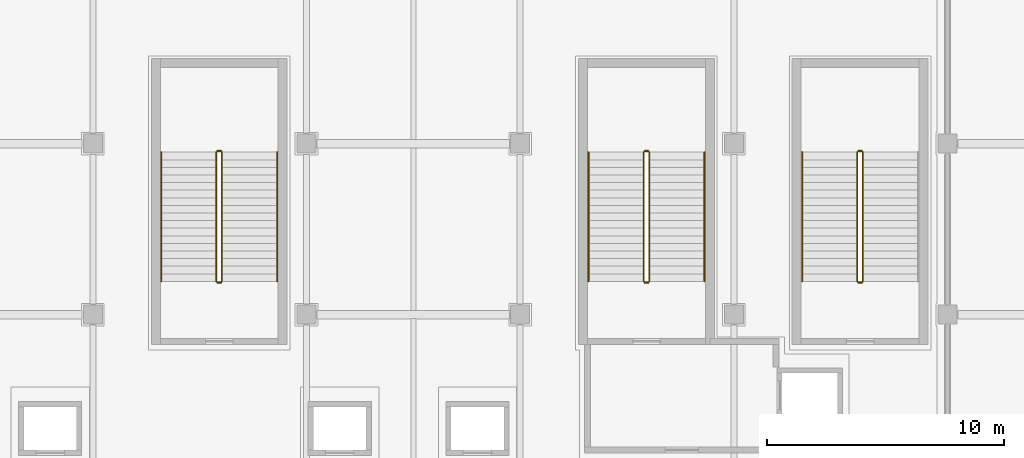
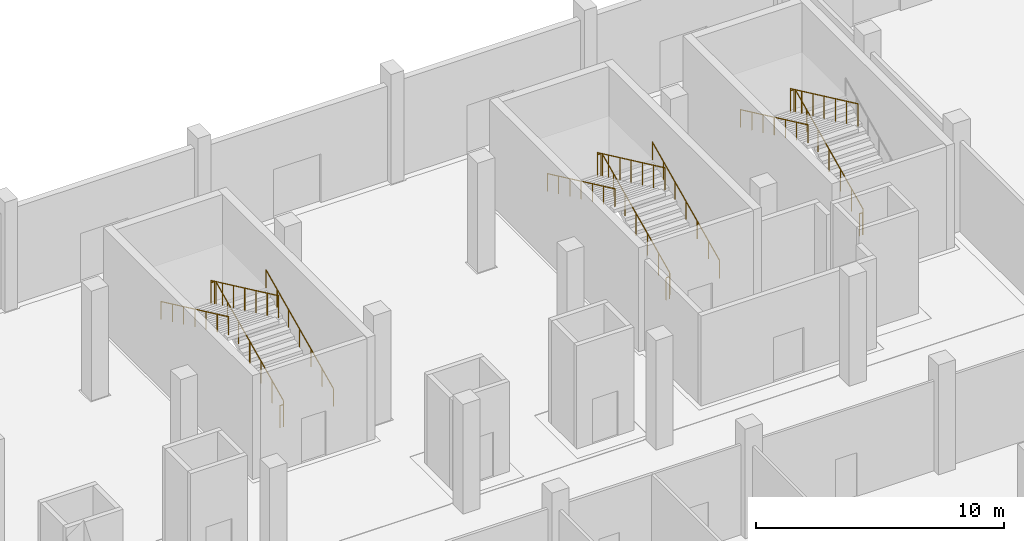
# One storey, part 130 of 137: 17 railings.
"""IFC4 building model written with IfcOpenShell, lengths in metres."""

import ifcopenshell
import ifcopenshell.guid

model = None  # the IFC model being written
_history = None  # IfcOwnerHistory: only IFC2X3 demands one
_inside = {}  # id of a spatial element -> (the spatial element, [elements in it])
_under = {}  # id of a project, library or spatial element -> (it, [spatial elements below it])
_declared = {}  # id of a project -> (the project, [libraries it declares])
_typed = {}  # id of a type object -> (the type object, [elements of that type])
_made_of = {}  # id of a material, layer set ... -> (it, [elements and type objects made of it])


def new_model(schema):
    """Start an empty IFC model of exactly this schema.

    Asked for "IFC4X3", IfcOpenShell would pick the latest addendum, in which some entities
    have other attributes; the version numbers below select the first issue.
    IFC2X3 requires an IfcOwnerHistory on every rooted entity: one is made here for all.
    """
    global model, _history
    if schema == "IFC4X3":
        model = ifcopenshell.file(schema_version=(4, 3, 0, 0))
    else:
        model = ifcopenshell.file(schema=schema)
    _inside.clear()
    _under.clear()
    _declared.clear()
    _typed.clear()
    _made_of.clear()
    _history = None
    if model.schema == "IFC2X3":
        org = make("IfcOrganization", Name="unknown")
        user = make(
            "IfcPersonAndOrganization",
            ThePerson=make("IfcPerson", FamilyName="unknown"),
            TheOrganization=org,
        )
        app = make(
            "IfcApplication",
            ApplicationDeveloper=org,
            Version="unknown",
            ApplicationFullName="unknown",
            ApplicationIdentifier="unknown",
        )
        _history = make(
            "IfcOwnerHistory",
            OwningUser=user,
            OwningApplication=app,
            ChangeAction="ADDED",
            CreationDate=0,
        )
    return model


def make(cls, **values):
    """One entity of the class cls with the attributes given. An attribute that is None is left unset."""
    return model.create_entity(
        cls, **{name: value for name, value in values.items() if value is not None}
    )


def rooted(cls, **values):
    """An entity with a GlobalId (a new one), such as an element, a storey or a relation."""
    return make(cls, GlobalId=ifcopenshell.guid.new(), OwnerHistory=_history, **values)


def si_unit(unit_type, name, prefix=None):
    """IfcSIUnit, for example si_unit("LENGTHUNIT", "METRE", prefix="MILLI")."""
    return make("IfcSIUnit", UnitType=unit_type, Prefix=prefix, Name=name)


def assignment(units):
    """IfcUnitAssignment: the units of a project."""
    return None if units is None else make("IfcUnitAssignment", Units=units)


def point(xyz):
    """IfcCartesianPoint."""
    return None if xyz is None else make("IfcCartesianPoint", Coordinates=xyz)


def direction(xyz):
    """IfcDirection."""
    return None if xyz is None else make("IfcDirection", DirectionRatios=xyz)


def frame(location, z_axis=None, x_axis=None):
    """IfcAxis2Placement3D, a coordinate frame: its origin and axes. An axis left out is left unset."""
    return make(
        "IfcAxis2Placement3D",
        Location=point(location),
        Axis=direction(z_axis),
        RefDirection=direction(x_axis),
    )


def frame_2d(location, x_axis=None):
    """IfcAxis2Placement2D, a coordinate frame in the plane: its origin and x axis."""
    return make(
        "IfcAxis2Placement2D", Location=point(location), RefDirection=direction(x_axis)
    )


def origin():
    """The frame at (0, 0, 0) with its axes left unset."""
    return frame((0.0, 0.0, 0.0))


def origin_2d():
    """The frame at (0, 0) in the plane with its x axis left unset."""
    return frame_2d((0.0, 0.0))


def place(relative_to, where):
    """IfcLocalPlacement: puts the frame where relative to a parent placement (None: the world)."""
    return make(
        "IfcLocalPlacement", PlacementRelTo=relative_to, RelativePlacement=where
    )


def context(
    kind, dimensions, precision=None, world=None, true_north=None, identifier=None
):
    """IfcGeometricRepresentationContext, for example the 3D "Model" context."""
    return make(
        "IfcGeometricRepresentationContext",
        ContextIdentifier=identifier,
        ContextType=kind,
        CoordinateSpaceDimension=dimensions,
        Precision=precision,
        WorldCoordinateSystem=world,
        TrueNorth=true_north,
    )


def subcontext(parent, identifier, kind, view, scale=None):
    """IfcGeometricRepresentationSubContext, for example "Body" below "Model"."""
    return make(
        "IfcGeometricRepresentationSubContext",
        ContextIdentifier=identifier,
        ContextType=kind,
        ParentContext=parent,
        TargetScale=scale,
        TargetView=view,
    )


def project(units=None, contexts=None):
    """IfcProject with its units and contexts."""
    return rooted(
        "IfcProject",
        Name="project",
        RepresentationContexts=contexts,
        UnitsInContext=assignment(units),
    )


def spatial(cls, under=None, at=None, **own):
    """A site, building, storey or space (cls), placed at a placement, below another one or the project."""
    s = rooted(cls, ObjectPlacement=at, **own)
    if under is not None:
        _under.setdefault(under.id(), (under, []))[1].append(s)
    return s


def profile(cls, at=None, kind="AREA", **sizes):
    """A parametric profile (cls). Its sizes go by their IFC names, for example OverallWidth=200.0."""
    return make(cls, ProfileType=kind, Position=at, **sizes)


def circle(**sizes):
    """IfcCircleProfileDef."""
    return profile("IfcCircleProfileDef", **sizes)


def extrude(swept, where, along, depth):
    """IfcExtrudedAreaSolid: the profile swept, set in the frame where, extruded along a direction by depth."""
    return make(
        "IfcExtrudedAreaSolid",
        SweptArea=swept,
        Position=where,
        ExtrudedDirection=direction(along),
        Depth=depth,
    )


def shape(context_of_items, identifier, shape_type, items):
    """IfcShapeRepresentation: the items that make up one representation, for example the "Body"."""
    return make(
        "IfcShapeRepresentation",
        ContextOfItems=context_of_items,
        RepresentationIdentifier=identifier,
        RepresentationType=shape_type,
        Items=items,
    )


def material(Name=None, Category=None):
    """IfcMaterial."""
    return make("IfcMaterial", Name=Name, Category=Category)


def layer(
    of_material, thickness, ventilated=None, Name=None, Category=None, Priority=None
):
    """IfcMaterialLayer: one layer of a wall or slab, of a material (None: an air gap)."""
    return make(
        "IfcMaterialLayer",
        Material=of_material,
        LayerThickness=thickness,
        IsVentilated=ventilated,
        Name=Name,
        Category=Category,
        Priority=Priority,
    )


def layer_set(layers, Name=None):
    """IfcMaterialLayerSet."""
    return make("IfcMaterialLayerSet", MaterialLayers=layers, LayerSetName=Name)


def made_of(thing, what):
    """Note that an element or type object is made of a material, layer set ...; save() writes the relation."""
    if what is not None:
        _made_of.setdefault(what.id(), (what, []))[1].append(thing)
    return thing


def type_object(cls, material=None, **own):
    """A type object (cls), such as IfcWallType, which elements share."""
    return made_of(rooted(cls, **own), material)


def element(
    cls,
    number,
    at=None,
    inside=None,
    cuts=None,
    type_object=None,
    material=None,
    context=None,
    identifier="Body",
    shape_type=None,
    held_by="IfcProductDefinitionShape",
    body=None,
    shapes=None,
    **own,
):
    """One element of the class cls, such as IfcWall. Its Tag is "e" and its number.

    at: its placement. inside: the storey or other place that contains it. cuts: it is an
    opening in that element (IfcRelVoidsElement). A single representation is given by context,
    identifier, shape_type and body (its items); several are given by shapes. held_by: the class
    of the entity that holds the representations. save() writes the other relations.
    """
    e = rooted(cls, Tag="e%d" % number, ObjectPlacement=at, **own)
    if body is not None:
        shapes = [shape(context, identifier, shape_type, body)]
    if shapes is not None:
        e.Representation = make(held_by, Representations=shapes)
    if inside is not None:
        _inside.setdefault(inside.id(), (inside, []))[1].append(e)
    if cuts is not None:
        rooted(
            "IfcRelVoidsElement", RelatingBuildingElement=cuts, RelatedOpeningElement=e
        )
    if type_object is not None:
        _typed.setdefault(type_object.id(), (type_object, []))[1].append(e)
    return made_of(e, material)


def aggregate(whole, parts):
    """IfcRelAggregates: a whole, such as a stair, and the parts it consists of."""
    return rooted("IfcRelAggregates", RelatingObject=whole, RelatedObjects=parts)


def save(model, path):
    """Write the relations noted so far, then the file.

    IfcRelAggregates (storeys below a building ...), IfcRelContainedInSpatialStructure (elements
    in a storey), IfcRelDefinesByType, IfcRelAssociatesMaterial and IfcRelDeclares: one each for
    every whole, place, type object, material and project.
    """
    for whole, parts in _under.values():
        aggregate(whole, parts)
    for where, things in _inside.values():
        rooted(
            "IfcRelContainedInSpatialStructure",
            RelatedElements=things,
            RelatingStructure=where,
        )
    for kind, things in _typed.values():
        rooted("IfcRelDefinesByType", RelatedObjects=things, RelatingType=kind)
    for what, things in _made_of.values():
        rooted("IfcRelAssociatesMaterial", RelatedObjects=things, RelatingMaterial=what)
    for by, libraries in _declared.values():
        rooted("IfcRelDeclares", RelatingContext=by, RelatedDefinitions=libraries)
    model.write(path)


model = new_model("IFC4")

# Units and contexts
model_context = context("Model", 3, precision=1e-05, world=origin(), true_north=direction((0.0, 1.0)))
body_context = subcontext(model_context, "Body", "Model", "MODEL_VIEW")
ifc_project = project(units=[si_unit("LENGTHUNIT", "METRE"), si_unit("AREAUNIT", "SQUARE_METRE"), si_unit("VOLUMEUNIT", "CUBIC_METRE"), si_unit("PLANEANGLEUNIT", "RADIAN"), si_unit("MASSUNIT", "GRAM", prefix="KILO")], contexts=[model_context])

# Site, building, storey
site_placement = place(None, origin())
site = spatial("IfcSite", under=ifc_project, at=site_placement, CompositionType="ELEMENT")
building_placement = place(site_placement, origin())
building = spatial("IfcBuilding", under=site, at=building_placement, Name="Celestram Park Convention Centre", CompositionType="ELEMENT")
storey_placement = place(building_placement, origin())
storey = spatial("IfcBuildingStorey", under=building, at=storey_placement, Name="L00", CompositionType="ELEMENT", Elevation=0.0)

# Railings
ifc_material_1 = material(Name="Stainless Steel AISI 316L & Laminated Glass", Category="steel")
ifc_layer_1 = layer(ifc_material_1, 0.06005859375)
ifc_layer_set_1 = layer_set([ifc_layer_1], Name="Stainless Steel AISI 316L & Laminated Glass")
railing_type_1 = type_object("IfcRailingType", Name="ARC-RL-GRD1120", PredefinedType="GUARDRAIL", material=ifc_layer_set_1)
railing_1_placement = place(storey_placement, frame((86.43603515625, 152.60009765625, 0.14990234375)))
element("IfcRailing", 1, at=railing_1_placement, inside=storey, type_object=railing_type_1, Name="L00 ST-02 stair guard 1", PredefinedType="GUARDRAIL", context=body_context, shape_type="SweptSolid", body=[
    extrude(circle(Radius=0.02392578125, at=origin_2d()), frame((0.0, 0.0, 1.09619140625), z_axis=(0.0, 0.90545405566, 0.424444287379), x_axis=(-1.0, 0.0, 0.0)), (0.0, 0.0, 1.0), 6.008056640625),
    extrude(circle(Radius=0.02099609375, at=origin_2d()), origin(), (0.0, 0.0, 1.0), 1.072021484375),
    extrude(circle(Radius=0.02099609375, at=origin_2d()), frame((0.0, 0.90673828125, 0.425048828125)), (0.0, 0.0, 1.0), 1.072021484375),
    extrude(circle(Radius=0.02099609375, at=origin_2d()), frame((0.0, 1.813232421875, 0.85009765625)), (0.0, 0.0, 1.0), 1.072021484375),
    extrude(circle(Radius=0.02099609375, at=origin_2d()), frame((0.0, 2.719970703125, 1.27490234375)), (0.0, 0.0, 1.0), 1.072021484375),
    extrude(circle(Radius=0.02099609375, at=origin_2d()), frame((0.0, 3.626708984375, 1.699951171875)), (0.0, 0.0, 1.0), 1.072021484375),
    extrude(circle(Radius=0.02099609375, at=origin_2d()), frame((0.0, 4.533203125, 2.125)), (0.0, 0.0, 1.0), 1.072021484375),
    extrude(circle(Radius=0.02099609375, at=origin_2d()), frame((0.0, 5.43994140625, 2.550048828125)), (0.0, 0.0, 1.0), 1.072021484375),
])
railing_2_placement = place(storey_placement, frame((86.39990234375, 158.090087890625, 2.699951171875)))
element("IfcRailing", 2, at=railing_2_placement, inside=storey, type_object=railing_type_1, Name="L00 ST-02 stair guard 2", PredefinedType="GUARDRAIL", context=body_context, shape_type="SweptSolid", body=[
    extrude(circle(Radius=0.02392578125, at=origin_2d()), frame((0.0, 0.0, 1.09619140625), z_axis=(-1.0, 0.0, 0.0), x_axis=(0.0, -1.0, 0.0)), (0.0, 0.0, 1.0), 0.159912109375),
    extrude(circle(Radius=0.02099609375, at=origin_2d()), origin(), (0.0, 0.0, 1.0), 1.072021484375),
    extrude(circle(Radius=0.02099609375, at=origin_2d()), frame((-0.159912109375, 0.0, 0.0)), (0.0, 0.0, 1.0), 1.072021484375),
])
railing_3_placement = place(storey_placement, frame((86.2041015625, 158.0400390625, 2.85009765625)))
element("IfcRailing", 3, at=railing_3_placement, inside=storey, type_object=railing_type_1, Name="L00 ST-02 stair guard 3", PredefinedType="GUARDRAIL", context=body_context, shape_type="SweptSolid", body=[
    extrude(circle(Radius=0.02392578125, at=origin_2d()), frame((0.0, 0.0, 1.09619140625), z_axis=(0.0, -0.90546967238, 0.424410971113), x_axis=(1.0, 0.0, 0.0)), (0.0, 0.0, 1.0), 6.0078125),
    extrude(circle(Radius=0.02099609375, at=origin_2d()), origin(), (0.0, 0.0, 1.0), 1.072021484375),
    extrude(circle(Radius=0.02099609375, at=origin_2d()), frame((0.0, -0.90673828125, 0.425048828125)), (0.0, 0.0, 1.0), 1.072021484375),
    extrude(circle(Radius=0.02099609375, at=origin_2d()), frame((0.0, -1.813232421875, 0.849853515625)), (0.0, 0.0, 1.0), 1.072021484375),
    extrude(circle(Radius=0.02099609375, at=origin_2d()), frame((0.0, -2.719970703125, 1.27490234375)), (0.0, 0.0, 1.0), 1.072021484375),
    extrude(circle(Radius=0.02099609375, at=origin_2d()), frame((0.0, -3.626708984375, 1.699951171875)), (0.0, 0.0, 1.0), 1.072021484375),
    extrude(circle(Radius=0.02099609375, at=origin_2d()), frame((0.0, -4.533203125, 2.124755859375)), (0.0, 0.0, 1.0), 1.072021484375),
    extrude(circle(Radius=0.02099609375, at=origin_2d()), frame((0.0, -5.43994140625, 2.5498046875)), (0.0, 0.0, 1.0), 1.072021484375),
])
railing_4_placement = place(storey_placement, frame((86.39990234375, 152.550048828125, 0.0)))
element("IfcRailing", 4, at=railing_4_placement, inside=storey, type_object=railing_type_1, Name="L00 ST-02 stair guard 4", PredefinedType="GUARDRAIL", context=body_context, shape_type="SweptSolid", body=[
    extrude(circle(Radius=0.02392578125, at=origin_2d()), frame((0.0, 0.0, 1.09619140625), z_axis=(-1.0, 0.0, 0.0), x_axis=(0.0, -1.0, 0.0)), (0.0, 0.0, 1.0), 0.159912109375),
    extrude(circle(Radius=0.02099609375, at=origin_2d()), origin(), (0.0, 0.0, 1.0), 1.072021484375),
    extrude(circle(Radius=0.02099609375, at=origin_2d()), frame((-0.159912109375, 0.0, 0.0)), (0.0, 0.0, 1.0), 1.072021484375),
])
railing_5_placement = place(storey_placement, frame((68.43603515625, 152.60009765625, 0.14990234375)))
element("IfcRailing", 5, at=railing_5_placement, inside=storey, type_object=railing_type_1, Name="L00 ST-14 stair guard 1", PredefinedType="GUARDRAIL", context=body_context, shape_type="SweptSolid", body=[
    extrude(circle(Radius=0.02392578125, at=origin_2d()), frame((0.0, 0.0, 1.09619140625), z_axis=(0.0, 0.90545405566, 0.424444287379), x_axis=(-1.0, 0.0, 0.0)), (0.0, 0.0, 1.0), 6.008056640625),
    extrude(circle(Radius=0.02099609375, at=origin_2d()), origin(), (0.0, 0.0, 1.0), 1.072021484375),
    extrude(circle(Radius=0.02099609375, at=origin_2d()), frame((0.0, 0.90673828125, 0.425048828125)), (0.0, 0.0, 1.0), 1.072021484375),
    extrude(circle(Radius=0.02099609375, at=origin_2d()), frame((0.0, 1.813232421875, 0.85009765625)), (0.0, 0.0, 1.0), 1.072021484375),
    extrude(circle(Radius=0.02099609375, at=origin_2d()), frame((0.0, 2.719970703125, 1.27490234375)), (0.0, 0.0, 1.0), 1.072021484375),
    extrude(circle(Radius=0.02099609375, at=origin_2d()), frame((0.0, 3.626708984375, 1.699951171875)), (0.0, 0.0, 1.0), 1.072021484375),
    extrude(circle(Radius=0.02099609375, at=origin_2d()), frame((0.0, 4.533203125, 2.125)), (0.0, 0.0, 1.0), 1.072021484375),
    extrude(circle(Radius=0.02099609375, at=origin_2d()), frame((0.0, 5.43994140625, 2.550048828125)), (0.0, 0.0, 1.0), 1.072021484375),
])
railing_6_placement = place(storey_placement, frame((68.39990234375, 158.090087890625, 2.699951171875)))
element("IfcRailing", 6, at=railing_6_placement, inside=storey, type_object=railing_type_1, Name="L00 ST-14 stair guard 2", PredefinedType="GUARDRAIL", context=body_context, shape_type="SweptSolid", body=[
    extrude(circle(Radius=0.02392578125, at=origin_2d()), frame((0.0, 0.0, 1.09619140625), z_axis=(-1.0, 0.0, 0.0), x_axis=(0.0, -1.0, 0.0)), (0.0, 0.0, 1.0), 0.159912109375),
    extrude(circle(Radius=0.02099609375, at=origin_2d()), origin(), (0.0, 0.0, 1.0), 1.072021484375),
    extrude(circle(Radius=0.02099609375, at=origin_2d()), frame((-0.159912109375, 0.0, 0.0)), (0.0, 0.0, 1.0), 1.072021484375),
])
railing_7_placement = place(storey_placement, frame((68.2041015625, 158.0400390625, 2.85009765625)))
element("IfcRailing", 7, at=railing_7_placement, inside=storey, type_object=railing_type_1, Name="L00 ST-14 stair guard 3", PredefinedType="GUARDRAIL", context=body_context, shape_type="SweptSolid", body=[
    extrude(circle(Radius=0.02392578125, at=origin_2d()), frame((0.0, 0.0, 1.09619140625), z_axis=(0.0, -0.90546967238, 0.424410971113), x_axis=(1.0, 0.0, 0.0)), (0.0, 0.0, 1.0), 6.0078125),
    extrude(circle(Radius=0.02099609375, at=origin_2d()), origin(), (0.0, 0.0, 1.0), 1.072021484375),
    extrude(circle(Radius=0.02099609375, at=origin_2d()), frame((0.0, -0.90673828125, 0.425048828125)), (0.0, 0.0, 1.0), 1.072021484375),
    extrude(circle(Radius=0.02099609375, at=origin_2d()), frame((0.0, -1.813232421875, 0.849853515625)), (0.0, 0.0, 1.0), 1.072021484375),
    extrude(circle(Radius=0.02099609375, at=origin_2d()), frame((0.0, -2.719970703125, 1.27490234375)), (0.0, 0.0, 1.0), 1.072021484375),
    extrude(circle(Radius=0.02099609375, at=origin_2d()), frame((0.0, -3.626708984375, 1.699951171875)), (0.0, 0.0, 1.0), 1.072021484375),
    extrude(circle(Radius=0.02099609375, at=origin_2d()), frame((0.0, -4.533203125, 2.124755859375)), (0.0, 0.0, 1.0), 1.072021484375),
    extrude(circle(Radius=0.02099609375, at=origin_2d()), frame((0.0, -5.43994140625, 2.5498046875)), (0.0, 0.0, 1.0), 1.072021484375),
])
railing_8_placement = place(storey_placement, frame((68.39990234375, 152.550048828125, 0.0)))
element("IfcRailing", 8, at=railing_8_placement, inside=storey, type_object=railing_type_1, Name="L00 ST-14 stair guard 4", PredefinedType="GUARDRAIL", context=body_context, shape_type="SweptSolid", body=[
    extrude(circle(Radius=0.02392578125, at=origin_2d()), frame((0.0, 0.0, 1.09619140625), z_axis=(-1.0, 0.0, 0.0), x_axis=(0.0, -1.0, 0.0)), (0.0, 0.0, 1.0), 0.159912109375),
    extrude(circle(Radius=0.02099609375, at=origin_2d()), origin(), (0.0, 0.0, 1.0), 1.072021484375),
    extrude(circle(Radius=0.02099609375, at=origin_2d()), frame((-0.159912109375, 0.0, 0.0)), (0.0, 0.0, 1.0), 1.072021484375),
])
railing_9_placement = place(storey_placement, frame((95.43603515625, 152.60009765625, 0.14990234375)))
element("IfcRailing", 9, at=railing_9_placement, inside=storey, type_object=railing_type_1, Name="L00 ST-19 stair guard 1", PredefinedType="GUARDRAIL", context=body_context, shape_type="SweptSolid", body=[
    extrude(circle(Radius=0.02392578125, at=origin_2d()), frame((0.0, 0.0, 1.09619140625), z_axis=(0.0, 0.90545405566, 0.424444287379), x_axis=(-1.0, 0.0, 0.0)), (0.0, 0.0, 1.0), 6.008056640625),
    extrude(circle(Radius=0.02099609375, at=origin_2d()), origin(), (0.0, 0.0, 1.0), 1.072021484375),
    extrude(circle(Radius=0.02099609375, at=origin_2d()), frame((0.0, 0.90673828125, 0.425048828125)), (0.0, 0.0, 1.0), 1.072021484375),
    extrude(circle(Radius=0.02099609375, at=origin_2d()), frame((0.0, 1.813232421875, 0.85009765625)), (0.0, 0.0, 1.0), 1.072021484375),
    extrude(circle(Radius=0.02099609375, at=origin_2d()), frame((0.0, 2.719970703125, 1.27490234375)), (0.0, 0.0, 1.0), 1.072021484375),
    extrude(circle(Radius=0.02099609375, at=origin_2d()), frame((0.0, 3.626708984375, 1.699951171875)), (0.0, 0.0, 1.0), 1.072021484375),
    extrude(circle(Radius=0.02099609375, at=origin_2d()), frame((0.0, 4.533203125, 2.125)), (0.0, 0.0, 1.0), 1.072021484375),
    extrude(circle(Radius=0.02099609375, at=origin_2d()), frame((0.0, 5.43994140625, 2.550048828125)), (0.0, 0.0, 1.0), 1.072021484375),
])
railing_10_placement = place(storey_placement, frame((95.39990234375, 158.090087890625, 2.699951171875)))
element("IfcRailing", 10, at=railing_10_placement, inside=storey, type_object=railing_type_1, Name="L00 ST-19 stair guard 2", PredefinedType="GUARDRAIL", context=body_context, shape_type="SweptSolid", body=[
    extrude(circle(Radius=0.02392578125, at=origin_2d()), frame((0.0, 0.0, 1.09619140625), z_axis=(-1.0, 0.0, 0.0), x_axis=(0.0, -1.0, 0.0)), (0.0, 0.0, 1.0), 0.159912109375),
    extrude(circle(Radius=0.02099609375, at=origin_2d()), origin(), (0.0, 0.0, 1.0), 1.072021484375),
    extrude(circle(Radius=0.02099609375, at=origin_2d()), frame((-0.159912109375, 0.0, 0.0)), (0.0, 0.0, 1.0), 1.072021484375),
])
railing_11_placement = place(storey_placement, frame((95.2041015625, 158.0400390625, 2.85009765625)))
element("IfcRailing", 11, at=railing_11_placement, inside=storey, type_object=railing_type_1, Name="L00 ST-19 stair guard 3", PredefinedType="GUARDRAIL", context=body_context, shape_type="SweptSolid", body=[
    extrude(circle(Radius=0.02392578125, at=origin_2d()), frame((0.0, 0.0, 1.09619140625), z_axis=(0.0, -0.90546967238, 0.424410971113), x_axis=(1.0, 0.0, 0.0)), (0.0, 0.0, 1.0), 6.0078125),
    extrude(circle(Radius=0.02099609375, at=origin_2d()), origin(), (0.0, 0.0, 1.0), 1.072021484375),
    extrude(circle(Radius=0.02099609375, at=origin_2d()), frame((0.0, -0.90673828125, 0.425048828125)), (0.0, 0.0, 1.0), 1.072021484375),
    extrude(circle(Radius=0.02099609375, at=origin_2d()), frame((0.0, -1.813232421875, 0.849853515625)), (0.0, 0.0, 1.0), 1.072021484375),
    extrude(circle(Radius=0.02099609375, at=origin_2d()), frame((0.0, -2.719970703125, 1.27490234375)), (0.0, 0.0, 1.0), 1.072021484375),
    extrude(circle(Radius=0.02099609375, at=origin_2d()), frame((0.0, -3.626708984375, 1.699951171875)), (0.0, 0.0, 1.0), 1.072021484375),
    extrude(circle(Radius=0.02099609375, at=origin_2d()), frame((0.0, -4.533203125, 2.124755859375)), (0.0, 0.0, 1.0), 1.072021484375),
    extrude(circle(Radius=0.02099609375, at=origin_2d()), frame((0.0, -5.43994140625, 2.5498046875)), (0.0, 0.0, 1.0), 1.072021484375),
])
railing_12_placement = place(storey_placement, frame((95.39990234375, 152.550048828125, 0.0)))
element("IfcRailing", 12, at=railing_12_placement, inside=storey, type_object=railing_type_1, Name="L00 ST-19 stair guard 4", PredefinedType="GUARDRAIL", context=body_context, shape_type="SweptSolid", body=[
    extrude(circle(Radius=0.02392578125, at=origin_2d()), frame((0.0, 0.0, 1.09619140625), z_axis=(-1.0, 0.0, 0.0), x_axis=(0.0, -1.0, 0.0)), (0.0, 0.0, 1.0), 0.159912109375),
    extrude(circle(Radius=0.02099609375, at=origin_2d()), origin(), (0.0, 0.0, 1.0), 1.072021484375),
    extrude(circle(Radius=0.02099609375, at=origin_2d()), frame((-0.159912109375, 0.0, 0.0)), (0.0, 0.0, 1.0), 1.072021484375),
])
ifc_material_2 = material(Name="Brushed Stainless Steel AISI 304", Category="steel")
ifc_layer_2 = layer(ifc_material_2, 0.048095703125)
ifc_layer_set_2 = layer_set([ifc_layer_2], Name="Brushed Stainless Steel AISI 304")
railing_type_2 = type_object("IfcRailingType", Name="ARC-RL-HND915", PredefinedType="HANDRAIL", material=ifc_layer_set_2)
railing_13_placement = place(storey_placement, frame((88.763916015625, 152.60009765625, 0.14990234375)))
element("IfcRailing", 13, at=railing_13_placement, inside=storey, type_object=railing_type_2, Name="L00 ST-02 stair handrail 1", PredefinedType="HANDRAIL", context=body_context, shape_type="SweptSolid", body=[
    extrude(circle(Radius=0.02392578125, at=origin_2d()), frame((0.0, 0.0, 0.8759765625), z_axis=(0.0, 0.90545405566, 0.424444287379), x_axis=(-1.0, 0.0, 0.0)), (0.0, 0.0, 1.0), 6.008056640625),
    extrude(circle(Radius=0.02099609375, at=origin_2d()), origin(), (0.0, 0.0, 1.0), 0.851806640625),
    extrude(circle(Radius=0.02099609375, at=origin_2d()), frame((0.0, 0.90673828125, 0.425048828125)), (0.0, 0.0, 1.0), 0.851806640625),
    extrude(circle(Radius=0.02099609375, at=origin_2d()), frame((0.0, 1.813232421875, 0.85009765625)), (0.0, 0.0, 1.0), 0.851806640625),
    extrude(circle(Radius=0.02099609375, at=origin_2d()), frame((0.0, 2.719970703125, 1.27490234375)), (0.0, 0.0, 1.0), 0.851806640625),
    extrude(circle(Radius=0.02099609375, at=origin_2d()), frame((0.0, 3.626708984375, 1.699951171875)), (0.0, 0.0, 1.0), 0.851806640625),
    extrude(circle(Radius=0.02099609375, at=origin_2d()), frame((0.0, 4.533203125, 2.125)), (0.0, 0.0, 1.0), 0.851806640625),
    extrude(circle(Radius=0.02099609375, at=origin_2d()), frame((0.0, 5.43994140625, 2.550048828125)), (0.0, 0.0, 1.0), 0.851806640625),
])
railing_14_placement = place(storey_placement, frame((83.8759765625, 158.0400390625, 2.85009765625)))
element("IfcRailing", 14, at=railing_14_placement, inside=storey, type_object=railing_type_2, Name="L00 ST-02 stair handrail 2", PredefinedType="HANDRAIL", context=body_context, shape_type="SweptSolid", body=[
    extrude(circle(Radius=0.02392578125, at=origin_2d()), frame((0.0, 0.0, 0.8759765625), z_axis=(0.0, -0.90546967238, 0.424410971113), x_axis=(1.0, 0.0, 0.0)), (0.0, 0.0, 1.0), 6.0078125),
    extrude(circle(Radius=0.02099609375, at=origin_2d()), origin(), (0.0, 0.0, 1.0), 0.851806640625),
    extrude(circle(Radius=0.02099609375, at=origin_2d()), frame((0.0, -0.90673828125, 0.425048828125)), (0.0, 0.0, 1.0), 0.851806640625),
    extrude(circle(Radius=0.02099609375, at=origin_2d()), frame((0.0, -1.813232421875, 0.849853515625)), (0.0, 0.0, 1.0), 0.851806640625),
    extrude(circle(Radius=0.02099609375, at=origin_2d()), frame((0.0, -2.719970703125, 1.27490234375)), (0.0, 0.0, 1.0), 0.851806640625),
    extrude(circle(Radius=0.02099609375, at=origin_2d()), frame((0.0, -3.626708984375, 1.699951171875)), (0.0, 0.0, 1.0), 0.851806640625),
    extrude(circle(Radius=0.02099609375, at=origin_2d()), frame((0.0, -4.533203125, 2.124755859375)), (0.0, 0.0, 1.0), 0.851806640625),
    extrude(circle(Radius=0.02099609375, at=origin_2d()), frame((0.0, -5.43994140625, 2.5498046875)), (0.0, 0.0, 1.0), 0.851806640625),
])
railing_15_placement = place(storey_placement, frame((70.763916015625, 152.60009765625, 0.14990234375)))
element("IfcRailing", 15, at=railing_15_placement, inside=storey, type_object=railing_type_2, Name="L00 ST-14 stair handrail 1", PredefinedType="HANDRAIL", context=body_context, shape_type="SweptSolid", body=[
    extrude(circle(Radius=0.02392578125, at=origin_2d()), frame((0.0, 0.0, 0.8759765625), z_axis=(0.0, 0.90545405566, 0.424444287379), x_axis=(-1.0, 0.0, 0.0)), (0.0, 0.0, 1.0), 6.008056640625),
    extrude(circle(Radius=0.02099609375, at=origin_2d()), origin(), (0.0, 0.0, 1.0), 0.851806640625),
    extrude(circle(Radius=0.02099609375, at=origin_2d()), frame((0.0, 0.90673828125, 0.425048828125)), (0.0, 0.0, 1.0), 0.851806640625),
    extrude(circle(Radius=0.02099609375, at=origin_2d()), frame((0.0, 1.813232421875, 0.85009765625)), (0.0, 0.0, 1.0), 0.851806640625),
    extrude(circle(Radius=0.02099609375, at=origin_2d()), frame((0.0, 2.719970703125, 1.27490234375)), (0.0, 0.0, 1.0), 0.851806640625),
    extrude(circle(Radius=0.02099609375, at=origin_2d()), frame((0.0, 3.626708984375, 1.699951171875)), (0.0, 0.0, 1.0), 0.851806640625),
    extrude(circle(Radius=0.02099609375, at=origin_2d()), frame((0.0, 4.533203125, 2.125)), (0.0, 0.0, 1.0), 0.851806640625),
    extrude(circle(Radius=0.02099609375, at=origin_2d()), frame((0.0, 5.43994140625, 2.550048828125)), (0.0, 0.0, 1.0), 0.851806640625),
])
for number, where, name in (
    (16, (65.8759765625, 158.0400390625, 2.85009765625), "L00 ST-14 stair handrail 2"),
    (17, (92.8759765625, 158.0400390625, 2.85009765625), "L00 ST-19 stair handrail 2"),
):
    element("IfcRailing", number, at=place(storey_placement, frame(where)), inside=storey, type_object=railing_type_2, Name=name, PredefinedType="HANDRAIL", context=body_context, shape_type="SweptSolid", body=[
        extrude(circle(Radius=0.02392578125, at=origin_2d()), frame((0.0, 0.0, 0.8759765625), z_axis=(0.0, -0.90546967238, 0.424410971113), x_axis=(1.0, 0.0, 0.0)), (0.0, 0.0, 1.0), 6.0078125),
        extrude(circle(Radius=0.02099609375, at=origin_2d()), origin(), (0.0, 0.0, 1.0), 0.851806640625),
        extrude(circle(Radius=0.02099609375, at=origin_2d()), frame((0.0, -0.90673828125, 0.425048828125)), (0.0, 0.0, 1.0), 0.851806640625),
        extrude(circle(Radius=0.02099609375, at=origin_2d()), frame((0.0, -1.813232421875, 0.849853515625)), (0.0, 0.0, 1.0), 0.851806640625),
        extrude(circle(Radius=0.02099609375, at=origin_2d()), frame((0.0, -2.719970703125, 1.27490234375)), (0.0, 0.0, 1.0), 0.851806640625),
        extrude(circle(Radius=0.02099609375, at=origin_2d()), frame((0.0, -3.626708984375, 1.699951171875)), (0.0, 0.0, 1.0), 0.851806640625),
        extrude(circle(Radius=0.02099609375, at=origin_2d()), frame((0.0, -4.533203125, 2.124755859375)), (0.0, 0.0, 1.0), 0.851806640625),
        extrude(circle(Radius=0.02099609375, at=origin_2d()), frame((0.0, -5.43994140625, 2.5498046875)), (0.0, 0.0, 1.0), 0.851806640625),
    ])

save(model, "model.ifc")
